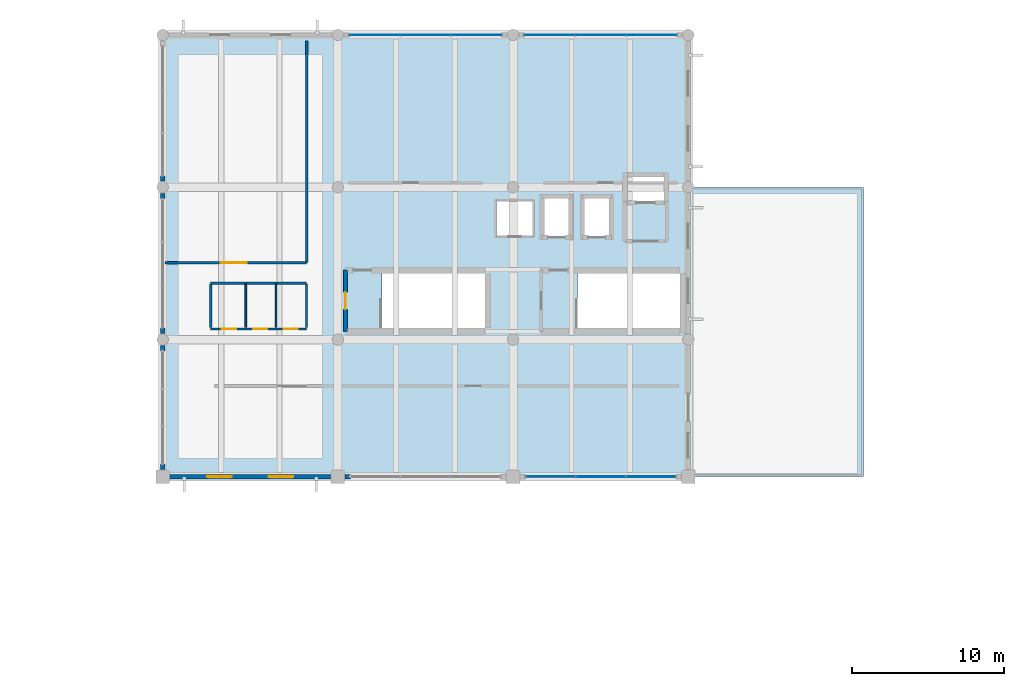
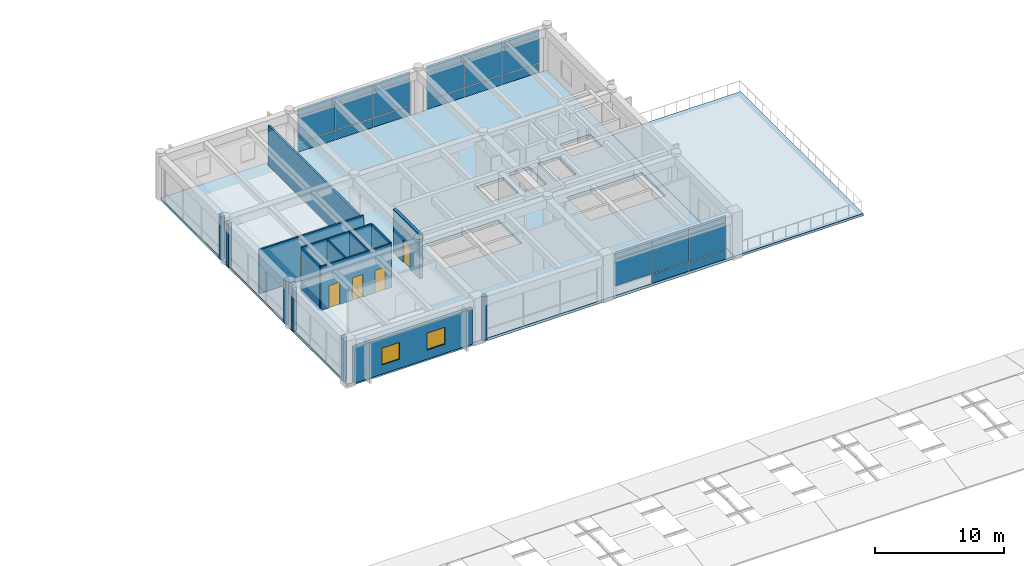
# One storey, part 22 of 27: 26 plates, 16 walls, 5 doors, 2 slabs, 2 windows, 7 openings, 3 elements without a shape of their own.
"""IFC4 building model written with IfcOpenShell, lengths in metres."""

from ifc_helpers import new_model, si_unit, direction, frame, frame_2d, origin, origin_2d, place, context, subcontext, project, spatial, polyline, rectangle, outline, extrude, material, layer, layer_set, type_object, element, fill, aggregate, save


model = new_model("IFC4")

# Units and contexts
model_context = context("Model", 3, precision=1e-05, world=origin(), true_north=direction((0.0, 1.0)))
body_context = subcontext(model_context, "Body", "Model", "MODEL_VIEW")
ifc_project = project(units=[si_unit("LENGTHUNIT", "METRE"), si_unit("AREAUNIT", "SQUARE_METRE"), si_unit("VOLUMEUNIT", "CUBIC_METRE"), si_unit("PLANEANGLEUNIT", "RADIAN"), si_unit("MASSUNIT", "GRAM", prefix="KILO")], contexts=[model_context])

# Site, building, storey
site_placement = place(None, origin())
site = spatial("IfcSite", under=ifc_project, at=site_placement, CompositionType="ELEMENT")
building_placement = place(site_placement, origin())
building = spatial("IfcBuilding", under=site, at=building_placement, Name="Ologun Quay Terminus", CompositionType="ELEMENT")
storey_placement = place(building_placement, frame((0.0, 0.0, 22.4599609375)))
storey = spatial("IfcBuildingStorey", under=building, at=storey_placement, Name="L05", CompositionType="ELEMENT", Elevation=22.4599609375)

# Curtain wall, plates
ifc_material_1 = material(Name="Aluminium 6063-T6", Category="aluminium")
curtain_wall_type = type_object("IfcCurtainWallType", Name="Operations Wing Canteen Curtain Wall L05 10600x4050", PredefinedType="USERDEFINED", material=ifc_material_1)
curtain_wall_1_placement = place(storey_placement, origin())
curtain_wall_1 = element("IfcCurtainWall", 1, at=curtain_wall_1_placement, inside=storey, type_object=curtain_wall_type, Name="CW-28 Curtain Wall CW-L05-154", ObjectType="UNITISED CURTAIN WALL", PredefinedType="USERDEFINED")
ifc_material_2 = material(Name="Glass", Category="glass")
ifc_layer_1 = layer(ifc_material_2, 0.031982421875)
ifc_layer_set_1 = layer_set([ifc_layer_1], Name="Glass")
plate_type_1 = type_object("IfcPlateType", Name="Acoustic Low-E Laminated Glazed Panel 32", PredefinedType="CURTAIN_PANEL", material=ifc_layer_set_1)
plate_1_placement = place(storey_placement, frame((128.913330078125, 114.800048828125, 0.93017578125), z_axis=(0.0, 0.0, 1.0), x_axis=(1.0, 0.0, 0.0)))
plate_1 = element("IfcPlate", 2, at=plate_1_placement, type_object=plate_type_1, Name="CW-L05-154 Panel B1-2", PredefinedType="CURTAIN_PANEL", context=body_context, shape_type="SweptSolid", body=[
    extrude(rectangle(XDim=3.336669921875, YDim=0.031982421875, at=origin_2d()), origin(), (0.0, 0.0, 1.0), 2.489990234375),
])
plate_2_placement = place(storey_placement, frame((128.913330078125, 114.800048828125, 3.47998046875), z_axis=(0.0, 0.0, 1.0), x_axis=(1.0, 0.0, 0.0)))
plate_2 = element("IfcPlate", 3, at=plate_2_placement, type_object=plate_type_1, Name="CW-L05-154 Panel B1-3", PredefinedType="CURTAIN_PANEL", context=body_context, shape_type="SweptSolid", body=[
    extrude(rectangle(XDim=3.336669921875, YDim=0.031982421875, at=origin_2d()), origin(), (0.0, 0.0, 1.0), 0.639892578125),
])
plate_3_placement = place(storey_placement, frame((132.25, 114.800048828125, 0.93017578125), z_axis=(0.0, 0.0, 1.0), x_axis=(1.0, 0.0, 0.0)))
plate_3 = element("IfcPlate", 4, at=plate_3_placement, type_object=plate_type_1, Name="CW-L05-154 Panel B2-2", PredefinedType="CURTAIN_PANEL", context=body_context, shape_type="SweptSolid", body=[
    extrude(rectangle(XDim=3.336669921875, YDim=0.031982421875, at=origin_2d()), origin(), (0.0, 0.0, 1.0), 2.489990234375),
])
plate_4_placement = place(storey_placement, frame((132.25, 114.800048828125, 3.47998046875), z_axis=(0.0, 0.0, 1.0), x_axis=(1.0, 0.0, 0.0)))
plate_4 = element("IfcPlate", 5, at=plate_4_placement, type_object=plate_type_1, Name="CW-L05-154 Panel B2-3", PredefinedType="CURTAIN_PANEL", context=body_context, shape_type="SweptSolid", body=[
    extrude(rectangle(XDim=3.336669921875, YDim=0.031982421875, at=origin_2d()), origin(), (0.0, 0.0, 1.0), 0.639892578125),
])
plate_5_placement = place(storey_placement, frame((135.586669921875, 114.800048828125, 0.93017578125), z_axis=(0.0, 0.0, 1.0), x_axis=(1.0, 0.0, 0.0)))
plate_5 = element("IfcPlate", 6, at=plate_5_placement, type_object=plate_type_1, Name="CW-L05-154 Panel B3-2", PredefinedType="CURTAIN_PANEL", context=body_context, shape_type="SweptSolid", body=[
    extrude(rectangle(XDim=3.336669921875, YDim=0.031982421875, at=origin_2d()), origin(), (0.0, 0.0, 1.0), 2.489990234375),
])
plate_6_placement = place(storey_placement, frame((135.586669921875, 114.800048828125, 3.47998046875), z_axis=(0.0, 0.0, 1.0), x_axis=(1.0, 0.0, 0.0)))
plate_6 = element("IfcPlate", 7, at=plate_6_placement, type_object=plate_type_1, Name="CW-L05-154 Panel B3-3", PredefinedType="CURTAIN_PANEL", context=body_context, shape_type="SweptSolid", body=[
    extrude(rectangle(XDim=3.336669921875, YDim=0.031982421875, at=origin_2d()), origin(), (0.0, 0.0, 1.0), 0.639892578125),
])

curtain_wall_2_placement = place(storey_placement, origin())
curtain_wall_2 = element("IfcCurtainWall", 8, at=curtain_wall_2_placement, inside=storey, type_object=curtain_wall_type, Name="CW-28 Curtain Wall CW-L05-155", ObjectType="UNITISED CURTAIN WALL", PredefinedType="USERDEFINED")
plate_7_placement = place(storey_placement, frame((140.413330078125, 114.800048828125, 0.93017578125), z_axis=(0.0, 0.0, 1.0), x_axis=(1.0, 0.0, 0.0)))
plate_7 = element("IfcPlate", 9, at=plate_7_placement, type_object=plate_type_1, Name="CW-L05-155 Panel B1-2", PredefinedType="CURTAIN_PANEL", context=body_context, shape_type="SweptSolid", body=[
    extrude(rectangle(XDim=3.336669921875, YDim=0.031982421875, at=origin_2d()), origin(), (0.0, 0.0, 1.0), 2.489990234375),
])
plate_8_placement = place(storey_placement, frame((140.413330078125, 114.800048828125, 3.47998046875), z_axis=(0.0, 0.0, 1.0), x_axis=(1.0, 0.0, 0.0)))
plate_8 = element("IfcPlate", 10, at=plate_8_placement, type_object=plate_type_1, Name="CW-L05-155 Panel B1-3", PredefinedType="CURTAIN_PANEL", context=body_context, shape_type="SweptSolid", body=[
    extrude(rectangle(XDim=3.336669921875, YDim=0.031982421875, at=origin_2d()), origin(), (0.0, 0.0, 1.0), 0.639892578125),
])
plate_9_placement = place(storey_placement, frame((143.75, 114.800048828125, 0.93017578125), z_axis=(0.0, 0.0, 1.0), x_axis=(1.0, 0.0, 0.0)))
plate_9 = element("IfcPlate", 11, at=plate_9_placement, type_object=plate_type_1, Name="CW-L05-155 Panel B2-2", PredefinedType="CURTAIN_PANEL", context=body_context, shape_type="SweptSolid", body=[
    extrude(rectangle(XDim=3.336669921875, YDim=0.031982421875, at=origin_2d()), origin(), (0.0, 0.0, 1.0), 2.489990234375),
])
plate_10_placement = place(storey_placement, frame((143.75, 114.800048828125, 3.47998046875), z_axis=(0.0, 0.0, 1.0), x_axis=(1.0, 0.0, 0.0)))
plate_10 = element("IfcPlate", 12, at=plate_10_placement, type_object=plate_type_1, Name="CW-L05-155 Panel B2-3", PredefinedType="CURTAIN_PANEL", context=body_context, shape_type="SweptSolid", body=[
    extrude(rectangle(XDim=3.336669921875, YDim=0.031982421875, at=origin_2d()), origin(), (0.0, 0.0, 1.0), 0.639892578125),
])
plate_11_placement = place(storey_placement, frame((147.086669921875, 114.800048828125, 0.93017578125), z_axis=(0.0, 0.0, 1.0), x_axis=(1.0, 0.0, 0.0)))
plate_11 = element("IfcPlate", 13, at=plate_11_placement, type_object=plate_type_1, Name="CW-L05-155 Panel B3-2", PredefinedType="CURTAIN_PANEL", context=body_context, shape_type="SweptSolid", body=[
    extrude(rectangle(XDim=3.336669921875, YDim=0.031982421875, at=origin_2d()), origin(), (0.0, 0.0, 1.0), 2.489990234375),
])
plate_12_placement = place(storey_placement, frame((147.086669921875, 114.800048828125, 3.47998046875), z_axis=(0.0, 0.0, 1.0), x_axis=(1.0, 0.0, 0.0)))
plate_12 = element("IfcPlate", 14, at=plate_12_placement, type_object=plate_type_1, Name="CW-L05-155 Panel B3-3", PredefinedType="CURTAIN_PANEL", context=body_context, shape_type="SweptSolid", body=[
    extrude(rectangle(XDim=3.336669921875, YDim=0.031982421875, at=origin_2d()), origin(), (0.0, 0.0, 1.0), 0.639892578125),
])

curtain_wall_3_placement = place(storey_placement, origin())
curtain_wall_3 = element("IfcCurtainWall", 15, at=curtain_wall_3_placement, inside=storey, type_object=curtain_wall_type, Name="CW-28 Curtain Wall CW-L05-153", ObjectType="UNITISED CURTAIN WALL", PredefinedType="USERDEFINED")
ifc_material_3 = material(Name="Aluminium 6063-T6", Category="aluminium")
ifc_layer_2 = layer(ifc_material_3, 0.050048828125)
ifc_layer_set_2 = layer_set([ifc_layer_2], Name="Aluminium 6063-T6")
plate_type_2 = type_object("IfcPlateType", Name="Insulated Aluminium Shadow-Box Spandrel 50", PredefinedType="CURTAIN_PANEL", material=ifc_layer_set_2)
plate_13_placement = place(storey_placement, frame((143.75, 85.800048828125, 0.02978515625), z_axis=(0.0, 0.0, 1.0), x_axis=(1.0, 0.0, 0.0)))
plate_13 = element("IfcPlate", 16, at=plate_13_placement, type_object=plate_type_2, Name="CW-L05-153 Panel B2-1", PredefinedType="CURTAIN_PANEL", context=body_context, shape_type="SweptSolid", body=[
    extrude(rectangle(XDim=3.28662109375, YDim=0.050048828125, at=origin_2d()), origin(), (0.0, 0.0, 1.0), 0.840087890625),
])
plate_14_placement = place(storey_placement, frame((147.03662109375, 85.800048828125, 0.02978515625), z_axis=(0.0, 0.0, 1.0), x_axis=(1.0, 0.0, 0.0)))
plate_14 = element("IfcPlate", 17, at=plate_14_placement, type_object=plate_type_2, Name="CW-L05-153 Panel B3-1", PredefinedType="CURTAIN_PANEL", context=body_context, shape_type="SweptSolid", body=[
    extrude(rectangle(XDim=3.28662109375, YDim=0.050048828125, at=origin_2d()), origin(), (0.0, 0.0, 1.0), 0.840087890625),
])

# Plate
plate_15_placement = place(storey_placement, frame((128.913330078125, 114.800048828125, 0.02978515625), z_axis=(0.0, 0.0, 1.0), x_axis=(1.0, 0.0, 0.0)))
plate_15 = element("IfcPlate", 18, at=plate_15_placement, type_object=plate_type_2, Name="CW-L05-154 Panel B1-1", PredefinedType="CURTAIN_PANEL", context=body_context, shape_type="SweptSolid", body=[
    extrude(rectangle(XDim=3.336669921875, YDim=0.050048828125, at=origin_2d()), origin(), (0.0, 0.0, 1.0), 0.840087890625),
])

plate_16_placement = place(storey_placement, frame((132.25, 114.800048828125, 0.02978515625), z_axis=(0.0, 0.0, 1.0), x_axis=(1.0, 0.0, 0.0)))
plate_16 = element("IfcPlate", 19, at=plate_16_placement, type_object=plate_type_2, Name="CW-L05-154 Panel B2-1", PredefinedType="CURTAIN_PANEL", context=body_context, shape_type="SweptSolid", body=[
    extrude(rectangle(XDim=3.336669921875, YDim=0.050048828125, at=origin_2d()), origin(), (0.0, 0.0, 1.0), 0.840087890625),
])

plate_17_placement = place(storey_placement, frame((135.586669921875, 114.800048828125, 0.02978515625), z_axis=(0.0, 0.0, 1.0), x_axis=(1.0, 0.0, 0.0)))
plate_17 = element("IfcPlate", 20, at=plate_17_placement, type_object=plate_type_2, Name="CW-L05-154 Panel B3-1", PredefinedType="CURTAIN_PANEL", context=body_context, shape_type="SweptSolid", body=[
    extrude(rectangle(XDim=3.336669921875, YDim=0.050048828125, at=origin_2d()), origin(), (0.0, 0.0, 1.0), 0.840087890625),
])

aggregate(curtain_wall_1, [plate_15, plate_1, plate_2, plate_16, plate_3, plate_4, plate_17, plate_5, plate_6])

plate_18_placement = place(storey_placement, frame((140.413330078125, 114.800048828125, 0.02978515625), z_axis=(0.0, 0.0, 1.0), x_axis=(1.0, 0.0, 0.0)))
plate_18 = element("IfcPlate", 21, at=plate_18_placement, type_object=plate_type_2, Name="CW-L05-155 Panel B1-1", PredefinedType="CURTAIN_PANEL", context=body_context, shape_type="SweptSolid", body=[
    extrude(rectangle(XDim=3.336669921875, YDim=0.050048828125, at=origin_2d()), origin(), (0.0, 0.0, 1.0), 0.840087890625),
])

plate_19_placement = place(storey_placement, frame((143.75, 114.800048828125, 0.02978515625), z_axis=(0.0, 0.0, 1.0), x_axis=(1.0, 0.0, 0.0)))
plate_19 = element("IfcPlate", 22, at=plate_19_placement, type_object=plate_type_2, Name="CW-L05-155 Panel B2-1", PredefinedType="CURTAIN_PANEL", context=body_context, shape_type="SweptSolid", body=[
    extrude(rectangle(XDim=3.336669921875, YDim=0.050048828125, at=origin_2d()), origin(), (0.0, 0.0, 1.0), 0.840087890625),
])

plate_20_placement = place(storey_placement, frame((147.086669921875, 114.800048828125, 0.02978515625), z_axis=(0.0, 0.0, 1.0), x_axis=(1.0, 0.0, 0.0)))
plate_20 = element("IfcPlate", 23, at=plate_20_placement, type_object=plate_type_2, Name="CW-L05-155 Panel B3-1", PredefinedType="CURTAIN_PANEL", context=body_context, shape_type="SweptSolid", body=[
    extrude(rectangle(XDim=3.336669921875, YDim=0.050048828125, at=origin_2d()), origin(), (0.0, 0.0, 1.0), 0.840087890625),
])

aggregate(curtain_wall_2, [plate_18, plate_7, plate_8, plate_19, plate_9, plate_10, plate_20, plate_11, plate_12])

# Slab
ifc_material_4 = material(Name="Concrete C45/55", Category="concrete")
ifc_layer_3 = layer(ifc_material_4, 0.260009765625)
ifc_layer_set_3 = layer_set([ifc_layer_3], Name="Concrete C45/55")
slab_type_1 = type_object("IfcSlabType", Name="Operations Upper Floor Slab 260", PredefinedType="FLOOR", material=ifc_layer_set_3)
slab_1_placement = place(storey_placement, frame((0.0, 0.0, -0.260009765625)))
element("IfcSlab", 24, at=slab_1_placement, inside=storey, type_object=slab_type_1, Name="SL-MPL Wing Floor Slab L05 EWNG", PredefinedType="FLOOR", context=body_context, shape_type="SweptSolid", body=[
    extrude(outline(polyline([(115.0, 85.800048828125), (149.5, 85.800048828125), (149.5, 114.800048828125), (115.0, 114.800048828125), (115.0, 85.800048828125)]), holes=[polyline([(145.35009765625, 103.780029296875), (145.35009765625, 105.6201171875), (148.050048828125, 105.6201171875), (148.050048828125, 103.780029296875), (145.35009765625, 103.780029296875)]), polyline([(139.89990234375, 101.5), (139.89990234375, 104.199951171875), (141.800048828125, 104.199951171875), (141.800048828125, 101.5), (139.89990234375, 101.5)]), polyline([(142.550048828125, 101.5), (142.550048828125, 104.199951171875), (144.449951171875, 104.199951171875), (144.449951171875, 101.5), (142.550048828125, 101.5)]), polyline([(129.3798828125, 95.550048828125), (129.3798828125, 99.14990234375), (136.14990234375, 99.14990234375), (136.14990234375, 95.550048828125), (129.3798828125, 95.550048828125)]), polyline([(142.22998046875, 95.550048828125), (142.22998046875, 99.14990234375), (148.949951171875, 99.14990234375), (148.949951171875, 95.550048828125), (142.22998046875, 95.550048828125)]), polyline([(136.89990234375, 101.60009765625), (136.89990234375, 103.89990234375), (139.300048828125, 103.89990234375), (139.300048828125, 101.60009765625), (136.89990234375, 101.60009765625)])]), origin(), (0.0, 0.0, 1.0), 0.260009765625),
])

# Plate
ifc_material_5 = material(Name="Glass", Category="glass")
ifc_layer_4 = layer(ifc_material_5, 0.028076171875)
ifc_layer_set_4 = layer_set([ifc_layer_4], Name="Glass")
plate_type_3 = type_object("IfcPlateType", Name="Solar-Control Double Glazed Panel 28", PredefinedType="CURTAIN_PANEL", material=ifc_layer_set_4)
plate_21_placement = place(storey_placement, frame((140.46337890625, 85.800048828125, 0.93017578125), z_axis=(0.0, 0.0, 1.0), x_axis=(1.0, 0.0, 0.0)))
plate_21 = element("IfcPlate", 25, at=plate_21_placement, type_object=plate_type_3, Name="CW-L05-153 Panel B1-2", PredefinedType="CURTAIN_PANEL", context=body_context, shape_type="SweptSolid", body=[
    extrude(rectangle(XDim=3.28662109375, YDim=0.028076171875, at=origin_2d()), origin(), (0.0, 0.0, 1.0), 2.489990234375),
])

plate_22_placement = place(storey_placement, frame((140.46337890625, 85.800048828125, 3.47998046875), z_axis=(0.0, 0.0, 1.0), x_axis=(1.0, 0.0, 0.0)))
plate_22 = element("IfcPlate", 26, at=plate_22_placement, type_object=plate_type_3, Name="CW-L05-153 Panel B1-3", PredefinedType="CURTAIN_PANEL", context=body_context, shape_type="SweptSolid", body=[
    extrude(rectangle(XDim=3.28662109375, YDim=0.028076171875, at=origin_2d()), origin(), (0.0, 0.0, 1.0), 0.639892578125),
])

plate_23_placement = place(storey_placement, frame((143.75, 85.800048828125, 0.93017578125), z_axis=(0.0, 0.0, 1.0), x_axis=(1.0, 0.0, 0.0)))
plate_23 = element("IfcPlate", 27, at=plate_23_placement, type_object=plate_type_3, Name="CW-L05-153 Panel B2-2", PredefinedType="CURTAIN_PANEL", context=body_context, shape_type="SweptSolid", body=[
    extrude(rectangle(XDim=3.28662109375, YDim=0.028076171875, at=origin_2d()), origin(), (0.0, 0.0, 1.0), 2.489990234375),
])

plate_24_placement = place(storey_placement, frame((143.75, 85.800048828125, 3.47998046875), z_axis=(0.0, 0.0, 1.0), x_axis=(1.0, 0.0, 0.0)))
plate_24 = element("IfcPlate", 28, at=plate_24_placement, type_object=plate_type_3, Name="CW-L05-153 Panel B2-3", PredefinedType="CURTAIN_PANEL", context=body_context, shape_type="SweptSolid", body=[
    extrude(rectangle(XDim=3.28662109375, YDim=0.028076171875, at=origin_2d()), origin(), (0.0, 0.0, 1.0), 0.639892578125),
])

plate_25_placement = place(storey_placement, frame((147.03662109375, 85.800048828125, 0.93017578125), z_axis=(0.0, 0.0, 1.0), x_axis=(1.0, 0.0, 0.0)))
plate_25 = element("IfcPlate", 29, at=plate_25_placement, type_object=plate_type_3, Name="CW-L05-153 Panel B3-2", PredefinedType="CURTAIN_PANEL", context=body_context, shape_type="SweptSolid", body=[
    extrude(rectangle(XDim=3.28662109375, YDim=0.028076171875, at=origin_2d()), origin(), (0.0, 0.0, 1.0), 2.489990234375),
])

plate_26_placement = place(storey_placement, frame((147.03662109375, 85.800048828125, 3.47998046875), z_axis=(0.0, 0.0, 1.0), x_axis=(1.0, 0.0, 0.0)))
plate_26 = element("IfcPlate", 30, at=plate_26_placement, type_object=plate_type_3, Name="CW-L05-153 Panel B3-3", PredefinedType="CURTAIN_PANEL", context=body_context, shape_type="SweptSolid", body=[
    extrude(rectangle(XDim=3.28662109375, YDim=0.028076171875, at=origin_2d()), origin(), (0.0, 0.0, 1.0), 0.639892578125),
])

aggregate(curtain_wall_3, [plate_21, plate_22, plate_13, plate_23, plate_24, plate_14, plate_25, plate_26])

# Slab
ifc_material_6 = material(Name="Concrete C40/50", Category="concrete")
ifc_layer_5 = layer(ifc_material_6, 0.219970703125)
ifc_layer_set_5 = layer_set([ifc_layer_5], Name="Concrete C40/50")
slab_type_2 = type_object("IfcSlabType", Name="Waterfront & Courtyard Terrace Slab 220", PredefinedType="FLOOR", material=ifc_layer_set_5)
slab_2_placement = place(storey_placement, frame((0.0, 0.0, -0.219970703125)))
element("IfcSlab", 31, at=slab_2_placement, inside=storey, type_object=slab_type_2, Name="SL-TER Operations Staff Roof Terrace Slab L05", PredefinedType="FLOOR", context=body_context, shape_type="SweptSolid", body=[
    extrude(outline(polyline([(149.5, 85.800048828125), (161.0, 85.800048828125), (161.0, 104.800048828125), (149.5, 104.800048828125), (149.5, 85.800048828125)])), origin(), (0.0, 0.0, 1.0), 0.219970703125),
])

# Wall, opening, door
ifc_material_7 = material(Name="Gypsum Acoustic Stud")
ifc_layer_6 = layer(ifc_material_7, 0.14990234375)
ifc_layer_set_6 = layer_set([ifc_layer_6], Name="Gypsum Acoustic Stud")
wall_type_1 = type_object("IfcWallType", Name="Community & Reading Room Partition 150", PredefinedType="PARTITIONING", material=ifc_layer_set_6)
wall_1_placement = place(storey_placement, frame((115.159912109375, 99.85009765625, 0.0), z_axis=(0.0, 0.0, 1.0), x_axis=(1.0, 0.0, 0.0)))
wall_1 = element("IfcWall", 32, at=wall_1_placement, inside=storey, type_object=wall_type_1, Name="PW-05 Partition L05-Canteen-E", PredefinedType="PARTITIONING", context=body_context, shape_type="SweptSolid", body=[
    extrude(rectangle(XDim=9.2900390625, YDim=0.14990234375, at=frame_2d((4.64501953125, 0.0))), origin(), (0.0, 0.0, 1.0), 4.14013671875),
])
opening_1_placement = place(wall_1_placement, frame((3.639892578125, 0.0, 0.0)))
opening_1 = element("IfcOpeningElement", 33, at=opening_1_placement, cuts=wall_1, Name="Opening ID-337", PredefinedType="OPENING", context=body_context, shape_type="SweptSolid", body=[
    extrude(rectangle(XDim=1.719970703125, YDim=2.199951171875, at=frame_2d((0.85986328125, 1.10009765625))), frame((0.0, 0.0849609375, 0.0), z_axis=(0.0, -1.0, 0.0), x_axis=(1.0, 0.0, 0.0)), (0.0, 0.0, 1.0), 0.169921875),
])
ifc_material_8 = material(Name="Timber Hardwood", Category="wood")
door_type_1 = type_object("IfcDoorType", Name="Staff Canteen Double Door 1720x2200", OperationType="DOUBLE_DOOR_SINGLE_SWING", PredefinedType="DOOR", material=ifc_material_8)
door_1_placement = place(opening_1_placement, origin())
door_1 = element("IfcDoor", 34, at=door_1_placement, inside=storey, type_object=door_type_1, Name="ID-16 Door ID-337", OperationType="DOUBLE_DOOR_SINGLE_SWING", OverallHeight=2.199951171875, OverallWidth=1.719970703125, PredefinedType="DOOR", context=body_context, shape_type="SweptSolid", body=[
    extrude(rectangle(XDim=1.719970703125, YDim=2.199951171875, at=frame_2d((0.85986328125, 1.10009765625))), frame((0.0, 0.02490234375, 0.0), z_axis=(0.0, -1.0, 0.0), x_axis=(1.0, 0.0, 0.0)), (0.0, 0.0, 1.0), 0.050048828125),
])
fill(opening_1, door_1)

# Wall
wall_2_placement = place(storey_placement, frame((124.449951171875, 99.85009765625, 0.0), z_axis=(0.0, 0.0, 1.0), x_axis=(0.0, 1.0, 0.0)))
element("IfcWall", 35, at=wall_2_placement, inside=storey, type_object=wall_type_1, Name="PW-05 Partition L05-Canteen-N", PredefinedType="PARTITIONING", context=body_context, shape_type="SweptSolid", body=[
    extrude(rectangle(XDim=14.5498046875, YDim=0.14990234375, at=frame_2d((7.27490234375, 0.0))), origin(), (0.0, 0.0, 1.0), 3.800048828125),
])

# Wall, openings, windows
ifc_material_9 = material(Name="Concrete C40/50", Category="concrete")
ifc_layer_7 = layer(ifc_material_9, 0.280029296875)
ifc_layer_set_7 = layer_set([ifc_layer_7], Name="Concrete C40/50")
wall_type_2 = type_object("IfcWallType", Name="Courtyard Wing Spandrel Concrete Wall 280", PredefinedType="SOLIDWALL", material=ifc_layer_set_7)
wall_3_placement = place(storey_placement, frame((115.469970703125, 85.800048828125, 0.0), z_axis=(0.0, 0.0, 1.0), x_axis=(1.0, 0.0, 0.0)))
wall_3 = element("IfcWall", 36, at=wall_3_placement, inside=storey, type_object=wall_type_2, Name="EW-02 Facade Wall WEW-EW-L05-1", PredefinedType="SOLIDWALL", context=body_context, shape_type="SweptSolid", body=[
    extrude(rectangle(XDim=10.56005859375, YDim=0.280029296875, at=frame_2d((5.280029296875, 0.0))), origin(), (0.0, 0.0, 1.0), 3.360107421875),
])
opening_2_placement = place(wall_3_placement, frame((2.453369140625, 0.0, 0.85009765625)))
opening_2 = element("IfcOpeningElement", 37, at=opening_2_placement, cuts=wall_3, Name="Opening WN-442", PredefinedType="OPENING", context=body_context, shape_type="SweptSolid", body=[
    extrude(rectangle(XDim=1.60009765625, YDim=1.60009765625, at=frame_2d((0.800048828125, 0.800048828125))), frame((0.0, 0.14990234375, 0.0), z_axis=(0.0, -1.0, 0.0), x_axis=(1.0, 0.0, 0.0)), (0.0, 0.0, 1.0), 0.300048828125),
])
opening_3_placement = place(wall_3_placement, frame((6.506591796875, 0.0, 0.85009765625)))
opening_3 = element("IfcOpeningElement", 38, at=opening_3_placement, cuts=wall_3, Name="Opening WN-443", PredefinedType="OPENING", context=body_context, shape_type="SweptSolid", body=[
    extrude(rectangle(XDim=1.60009765625, YDim=1.60009765625, at=frame_2d((0.800048828125, 0.800048828125))), frame((0.0, 0.14990234375, 0.0), z_axis=(0.0, -1.0, 0.0), x_axis=(1.0, 0.0, 0.0)), (0.0, 0.0, 1.0), 0.300048828125),
])
ifc_material_10 = material(Name="Glass", Category="glass")
window_type = type_object("IfcWindowType", Name="Staff Canteen Casement Window 1600x1600", PartitioningType="SINGLE_PANEL", PredefinedType="WINDOW", material=ifc_material_10)
window_1_placement = place(opening_2_placement, origin())
window_1 = element("IfcWindow", 39, at=window_1_placement, inside=storey, type_object=window_type, Name="W-10 Window WN-442", OverallHeight=1.60009765625, OverallWidth=1.60009765625, PartitioningType="SINGLE_PANEL", PredefinedType="WINDOW", context=body_context, shape_type="SweptSolid", body=[
    extrude(rectangle(XDim=1.60009765625, YDim=1.60009765625, at=frame_2d((0.800048828125, 0.800048828125))), frame((0.0, 0.030029296875, 0.0), z_axis=(0.0, -1.0, 0.0), x_axis=(1.0, 0.0, 0.0)), (0.0, 0.0, 1.0), 0.06005859375),
])
fill(opening_2, window_1)
window_2_placement = place(opening_3_placement, origin())
window_2 = element("IfcWindow", 40, at=window_2_placement, inside=storey, type_object=window_type, Name="W-10 Window WN-443", OverallHeight=1.60009765625, OverallWidth=1.60009765625, PartitioningType="SINGLE_PANEL", PredefinedType="WINDOW", context=body_context, shape_type="SweptSolid", body=[
    extrude(rectangle(XDim=1.60009765625, YDim=1.60009765625, at=frame_2d((0.800048828125, 0.800048828125))), frame((0.0, 0.030029296875, 0.0), z_axis=(0.0, -1.0, 0.0), x_axis=(1.0, 0.0, 0.0)), (0.0, 0.0, 1.0), 0.06005859375),
])
fill(opening_3, window_2)

# Walls
for number, where, z_axis, x_axis, name in (
    (41, (126.969970703125, 85.800048828125, 0.0), (0.0, 0.0, 1.0), (1.0, 0.0, 0.0), "Curtain Wall Jamb Pier CW-L05-152-J1"),
    (42, (115.0, 86.27001953125, 0.0), (0.0, 0.0, 1.0), (0.0, 1.0, 0.0), "Curtain Wall Jamb Pier CW-L05-156-J1"),
    (43, (115.0, 94.054931640625, 0.0), (0.0, 0.0, 1.0), (0.0, 1.0, 0.0), "Curtain Wall Jamb Pier CW-L05-156-J2"),
):
    element("IfcWall", number, at=place(storey_placement, frame(where, z_axis=z_axis, x_axis=x_axis)), inside=storey, type_object=wall_type_2, Name=name, PredefinedType="SOLIDWALL", context=body_context, shape_type="SweptSolid", body=[
        extrude(rectangle(XDim=0.35009765625, YDim=0.280029296875, at=frame_2d((0.175048828125, 0.0))), origin(), (0.0, 0.0, 1.0), 4.150146484375),
    ])
wall_4_placement = place(storey_placement, frame((115.0, 95.195068359375, 0.0), z_axis=(0.0, 0.0, 1.0), x_axis=(0.0, 1.0, 0.0)))
element("IfcWall", 44, at=wall_4_placement, inside=storey, type_object=wall_type_2, Name="Curtain Wall Jamb Pier CW-L05-157-J1", PredefinedType="SOLIDWALL", context=body_context, shape_type="SweptSolid", body=[
    extrude(rectangle(XDim=0.349853515625, YDim=0.280029296875, at=frame_2d((0.1748046875, 0.0))), origin(), (0.0, 0.0, 1.0), 4.150146484375),
])
wall_5_placement = place(storey_placement, frame((115.0, 104.054931640625, 0.0), z_axis=(0.0, 0.0, 1.0), x_axis=(0.0, 1.0, 0.0)))
element("IfcWall", 45, at=wall_5_placement, inside=storey, type_object=wall_type_2, Name="Curtain Wall Jamb Pier CW-L05-157-J2", PredefinedType="SOLIDWALL", context=body_context, shape_type="SweptSolid", body=[
    extrude(rectangle(XDim=0.35009765625, YDim=0.280029296875, at=frame_2d((0.175048828125, 0.0))), origin(), (0.0, 0.0, 1.0), 4.150146484375),
])
wall_6_placement = place(storey_placement, frame((115.0, 105.195068359375, 0.0), z_axis=(0.0, 0.0, 1.0), x_axis=(0.0, 1.0, 0.0)))
element("IfcWall", 46, at=wall_6_placement, inside=storey, type_object=wall_type_2, Name="Curtain Wall Jamb Pier CW-L05-158-J1", PredefinedType="SOLIDWALL", context=body_context, shape_type="SweptSolid", body=[
    extrude(rectangle(XDim=0.349853515625, YDim=0.280029296875, at=frame_2d((0.1748046875, 0.0))), origin(), (0.0, 0.0, 1.0), 4.150146484375),
])

# Wall, opening, door
ifc_material_11 = material(Name="Concrete C40/50", Category="concrete")
ifc_layer_8 = layer(ifc_material_11, 0.239990234375)
ifc_layer_set_8 = layer_set([ifc_layer_8], Name="Concrete C40/50")
wall_type_3 = type_object("IfcWallType", Name="Fire Compartment Blockwork Wall 240", PredefinedType="SOLIDWALL", material=ifc_layer_set_8)
wall_7_placement = place(storey_placement, frame((127.0, 95.330078125, 0.0), z_axis=(0.0, 0.0, 1.0), x_axis=(0.0, 1.0, 0.0)))
wall_7 = element("IfcWall", 47, at=wall_7_placement, inside=storey, type_object=wall_type_3, Name="PW-01 Partition EStair1-W", PredefinedType="SOLIDWALL", context=body_context, shape_type="SweptSolid", body=[
    extrude(rectangle(XDim=4.0400390625, YDim=0.239990234375, at=frame_2d((2.02001953125, 0.0))), origin(), (0.0, 0.0, 1.0), 4.14013671875),
])
opening_4_placement = place(wall_7_placement, frame((1.449951171875, 0.0, 0.0)))
opening_4 = element("IfcOpeningElement", 48, at=opening_4_placement, cuts=wall_7, Name="Opening ID-220", PredefinedType="OPENING", context=body_context, shape_type="SweptSolid", body=[
    extrude(rectangle(XDim=1.1298828125, YDim=2.14990234375, at=frame_2d((0.56494140625, 1.074951171875))), frame((0.0, 0.1298828125, 0.0), z_axis=(0.0, -1.0, 0.0), x_axis=(1.0, 0.0, 0.0)), (0.0, 0.0, 1.0), 0.260009765625),
])
ifc_material_12 = material(Name="Steel S355", Category="steel")
door_type_2 = type_object("IfcDoorType", Name="Stairwell Fire Escape Door 1130x2150", OperationType="SINGLE_SWING_LEFT", PredefinedType="DOOR", material=ifc_material_12)
door_2_placement = place(opening_4_placement, frame((0.56494140625, 0.0, 0.0), z_axis=(0.0, 0.0, 1.0), x_axis=(-1.0, 0.0, 0.0)))
door_2 = element("IfcDoor", 49, at=door_2_placement, inside=storey, type_object=door_type_2, Name="FD-01 Door ID-220", OperationType="SINGLE_SWING_LEFT", OverallHeight=2.14990234375, OverallWidth=1.1298828125, PredefinedType="DOOR", context=body_context, shape_type="SweptSolid", body=[
    extrude(rectangle(XDim=1.1298828125, YDim=2.14990234375, at=frame_2d((0.0, 1.074951171875))), frame((0.0, 0.02490234375, 0.0), z_axis=(0.0, -1.0, 0.0), x_axis=(1.0, 0.0, 0.0)), (0.0, 0.0, 1.0), 0.050048828125),
])
fill(opening_4, door_2)

# Walls
ifc_material_13 = material(Name="Gypsum Acoustic Stud")
ifc_layer_9 = layer(ifc_material_13, 0.10498046875)
ifc_layer_set_9 = layer_set([ifc_layer_9], Name="Gypsum Acoustic Stud")
wall_type_4 = type_object("IfcWallType", Name="Light Cubicle Partition 105", PredefinedType="PARTITIONING", material=ifc_layer_set_9)
for number, where, z_axis, x_axis, name in (
    (50, (120.449951171875, 95.60009765625, 0.0), (0.0, 0.0, 1.0), (0.0, 1.0, 0.0), "PW-13 Partition EWC-D1"),
    (51, (122.449951171875, 95.60009765625, 0.0), (0.0, 0.0, 1.0), (0.0, 1.0, 0.0), "PW-13 Partition EWC-D2"),
):
    element("IfcWall", number, at=place(storey_placement, frame(where, z_axis=z_axis, x_axis=x_axis)), inside=storey, type_object=wall_type_4, Name=name, PredefinedType="PARTITIONING", context=body_context, shape_type="SweptSolid", body=[
        extrude(rectangle(XDim=2.849853515625, YDim=0.10498046875, at=frame_2d((1.4248046875, 0.0))), origin(), (0.0, 0.0, 1.0), 4.14013671875),
    ])

# Wall, openings, doors
ifc_material_14 = material(Name="Concrete C40/50", Category="concrete")
ifc_layer_10 = layer(ifc_material_14, 0.139892578125)
ifc_layer_set_10 = layer_set([ifc_layer_10], Name="Concrete C40/50")
wall_type_5 = type_object("IfcWallType", Name="Sanitary Wet-Area Blockwork Wall 140", PredefinedType="PLUMBINGWALL", material=ifc_layer_set_10)
wall_8_placement = place(storey_placement, frame((118.14990234375, 95.5, 0.0), z_axis=(0.0, 0.0, 1.0), x_axis=(1.0, 0.0, 0.0)))
wall_8 = element("IfcWall", 52, at=wall_8_placement, inside=storey, type_object=wall_type_5, Name="PW-06 Partition EWC-S", PredefinedType="PLUMBINGWALL", context=body_context, shape_type="SweptSolid", body=[
    extrude(rectangle(XDim=6.300048828125, YDim=0.139892578125, at=frame_2d((3.14990234375, 0.0))), origin(), (0.0, 0.0, 1.0), 4.14013671875),
])
opening_5_placement = place(wall_8_placement, frame((0.719970703125, 0.0, 0.0)))
opening_5 = element("IfcOpeningElement", 53, at=opening_5_placement, cuts=wall_8, Name="Opening ID-226", PredefinedType="OPENING", context=body_context, shape_type="SweptSolid", body=[
    extrude(rectangle(XDim=0.949951171875, YDim=2.10009765625, at=frame_2d((0.47509765625, 1.050048828125))), frame((0.0, 0.080078125, 0.0), z_axis=(0.0, -1.0, 0.0), x_axis=(1.0, 0.0, 0.0)), (0.0, 0.0, 1.0), 0.159912109375),
])
opening_6_placement = place(wall_8_placement, frame((2.800048828125, 0.0, 0.0)))
opening_6 = element("IfcOpeningElement", 54, at=opening_6_placement, cuts=wall_8, Name="Opening ID-227", PredefinedType="OPENING", context=body_context, shape_type="SweptSolid", body=[
    extrude(rectangle(XDim=0.919921875, YDim=2.10009765625, at=frame_2d((0.4599609375, 1.050048828125))), frame((0.0, 0.080078125, 0.0), z_axis=(0.0, -1.0, 0.0), x_axis=(1.0, 0.0, 0.0)), (0.0, 0.0, 1.0), 0.159912109375),
])
opening_7_placement = place(wall_8_placement, frame((4.800048828125, 0.0, 0.0)))
opening_7 = element("IfcOpeningElement", 55, at=opening_7_placement, cuts=wall_8, Name="Opening ID-228", PredefinedType="OPENING", context=body_context, shape_type="SweptSolid", body=[
    extrude(rectangle(XDim=0.919921875, YDim=2.10009765625, at=frame_2d((0.4599609375, 1.050048828125))), frame((0.0, 0.080078125, 0.0), z_axis=(0.0, -1.0, 0.0), x_axis=(1.0, 0.0, 0.0)), (0.0, 0.0, 1.0), 0.159912109375),
])
ifc_material_15 = material(Name="Timber Hardwood", Category="wood")
door_type_3 = type_object("IfcDoorType", Name="Accessible WC Outward-Swing Door 950x2100", OperationType="SINGLE_SWING_LEFT", PredefinedType="DOOR", material=ifc_material_15)
door_3_placement = place(opening_5_placement, frame((0.47509765625, 0.0, 0.0), z_axis=(0.0, 0.0, 1.0), x_axis=(-1.0, 0.0, 0.0)))
door_3 = element("IfcDoor", 56, at=door_3_placement, inside=storey, type_object=door_type_3, Name="ID-04 Door ID-226", OperationType="SINGLE_SWING_LEFT", OverallHeight=2.10009765625, OverallWidth=0.949951171875, PredefinedType="DOOR", context=body_context, shape_type="SweptSolid", body=[
    extrude(rectangle(XDim=0.949951171875, YDim=2.10009765625, at=frame_2d((0.0, 1.050048828125))), frame((0.0, 0.02490234375, 0.0), z_axis=(0.0, -1.0, 0.0), x_axis=(1.0, 0.0, 0.0)), (0.0, 0.0, 1.0), 0.050048828125),
])
fill(opening_5, door_3)
ifc_material_16 = material(Name="Timber Hardwood", Category="wood")
door_type_4 = type_object("IfcDoorType", Name="Sanitary Block Entrance Door 920x2100", OperationType="SINGLE_SWING_RIGHT", PredefinedType="DOOR", material=ifc_material_16)
door_4_placement = place(opening_6_placement, origin())
door_4 = element("IfcDoor", 57, at=door_4_placement, inside=storey, type_object=door_type_4, Name="ID-05 Door ID-227", OperationType="SINGLE_SWING_RIGHT", OverallHeight=2.10009765625, OverallWidth=0.919921875, PredefinedType="DOOR", context=body_context, shape_type="SweptSolid", body=[
    extrude(rectangle(XDim=0.919921875, YDim=2.10009765625, at=frame_2d((0.4599609375, 1.050048828125))), frame((0.0, 0.02490234375, 0.0), z_axis=(0.0, -1.0, 0.0), x_axis=(1.0, 0.0, 0.0)), (0.0, 0.0, 1.0), 0.050048828125),
])
fill(opening_6, door_4)
door_5_placement = place(opening_7_placement, origin())
door_5 = element("IfcDoor", 58, at=door_5_placement, inside=storey, type_object=door_type_4, Name="ID-05 Door ID-228", OperationType="SINGLE_SWING_RIGHT", OverallHeight=2.10009765625, OverallWidth=0.919921875, PredefinedType="DOOR", context=body_context, shape_type="SweptSolid", body=[
    extrude(rectangle(XDim=0.919921875, YDim=2.10009765625, at=frame_2d((0.4599609375, 1.050048828125))), frame((0.0, 0.02490234375, 0.0), z_axis=(0.0, -1.0, 0.0), x_axis=(1.0, 0.0, 0.0)), (0.0, 0.0, 1.0), 0.050048828125),
])
fill(opening_7, door_5)

# Walls
for number, where, z_axis, x_axis, name in (
    (59, (118.14990234375, 95.60009765625, 0.0), (0.0, 0.0, 1.0), (0.0, 1.0, 0.0), "PW-06 Partition EWC-W"),
    (60, (124.449951171875, 95.60009765625, 0.0), (0.0, 0.0, 1.0), (0.0, 1.0, 0.0), "PW-06 Partition EWC-E"),
):
    element("IfcWall", number, at=place(storey_placement, frame(where, z_axis=z_axis, x_axis=x_axis)), inside=storey, type_object=wall_type_5, Name=name, PredefinedType="PLUMBINGWALL", context=body_context, shape_type="SweptSolid", body=[
        extrude(rectangle(XDim=2.849853515625, YDim=0.139892578125, at=frame_2d((1.4248046875, 0.0))), origin(), (0.0, 0.0, 1.0), 4.14013671875),
    ])
wall_9_placement = place(storey_placement, frame((118.14990234375, 98.5, 0.0), z_axis=(0.0, 0.0, 1.0), x_axis=(1.0, 0.0, 0.0)))
element("IfcWall", 61, at=wall_9_placement, inside=storey, type_object=wall_type_5, Name="PW-06 Partition EWC-N", PredefinedType="PLUMBINGWALL", context=body_context, shape_type="SweptSolid", body=[
    extrude(rectangle(XDim=6.300048828125, YDim=0.139892578125, at=frame_2d((3.14990234375, 0.0))), origin(), (0.0, 0.0, 1.0), 4.14013671875),
])

save(model, "model.ifc")
